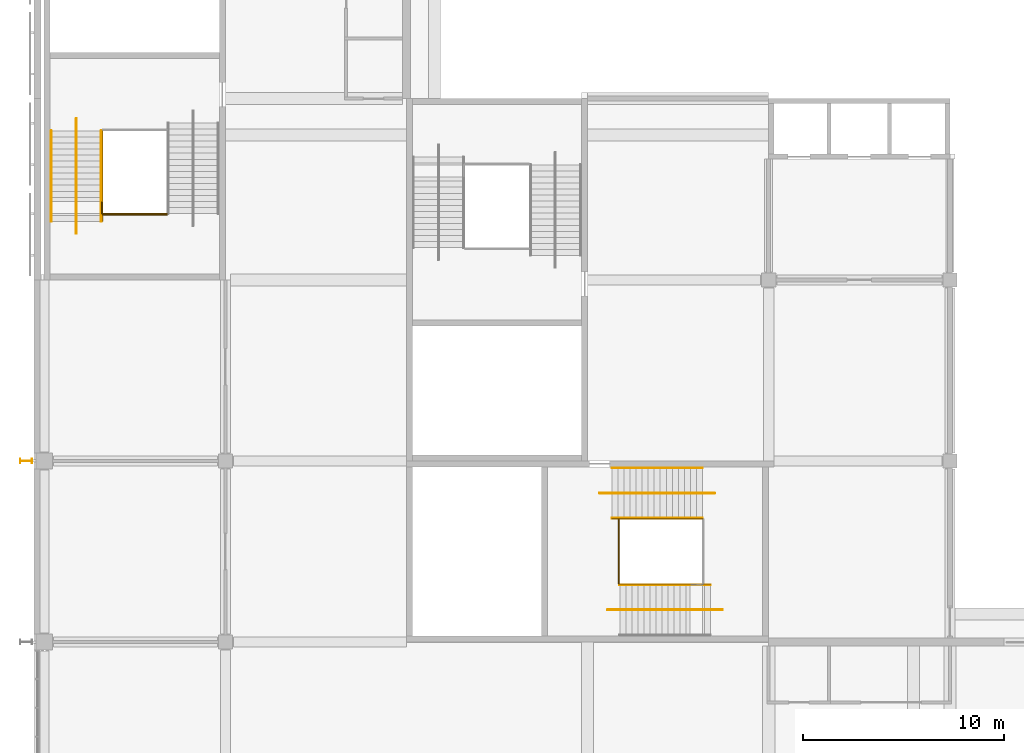
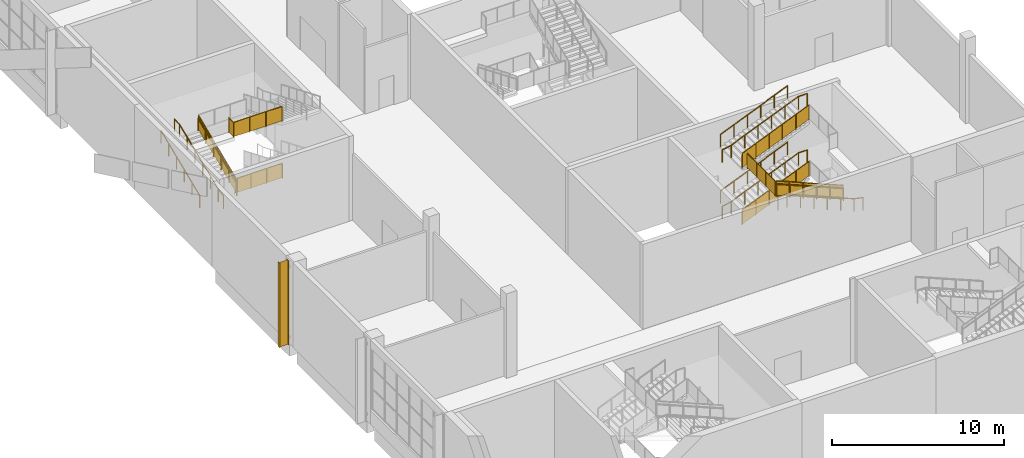
# One storey, part 70 of 89: 18 railings, 1 shading device.
"""IFC4 building model written with IfcOpenShell, lengths in metres."""

from ifc_helpers import new_model, si_unit, direction, frame, origin, origin_2d, place, context, subcontext, project, spatial, polyline, circle, i_section, outline, extrude, material, material_profile, profile_set, type_object, element, save


model = new_model("IFC4")

# Units and contexts
model_context = context("Model", 3, precision=1e-05, world=origin(), true_north=direction((0.0, 1.0)))
body_context = subcontext(model_context, "Body", "Model", "MODEL_VIEW")
ifc_project = project(units=[si_unit("LENGTHUNIT", "METRE"), si_unit("AREAUNIT", "SQUARE_METRE"), si_unit("VOLUMEUNIT", "CUBIC_METRE"), si_unit("PLANEANGLEUNIT", "RADIAN"), si_unit("MASSUNIT", "GRAM", prefix="KILO")], contexts=[model_context])

# Site, building, storey
site_placement = place(None, origin())
site = spatial("IfcSite", under=ifc_project, at=site_placement, CompositionType="ELEMENT")
building_placement = place(site_placement, origin())
building = spatial("IfcBuilding", under=site, at=building_placement, Name="Silverbay Arena", CompositionType="ELEMENT")
storey_placement = place(building_placement, frame((0.0, 0.0, 22.0)))
storey = spatial("IfcBuildingStorey", under=building, at=storey_placement, Name="L03", CompositionType="ELEMENT", Elevation=22.0)

# Railings
ifc_material_1 = material(Name="Stainless steel", Category="steel")
railing_type_1 = type_object("IfcRailingType", Name="Stair guard 1100", PredefinedType="GUARDRAIL", material=ifc_material_1)
railing_1_placement = place(storey_placement, frame((56.875, 56.89990234375, 2.125)))
element("IfcRailing", 1, at=railing_1_placement, inside=storey, type_object=railing_type_1, Name="Stair ST-W1 L03 to L04 flight 2 guard left", PredefinedType="GUARDRAIL", context=body_context, shape_type="SweptSolid", body=[
    extrude(circle(Radius=0.02392578125, at=origin_2d()), frame((0.0, 0.0, 1.076171875), z_axis=(0.0, 0.923076923077, 0.384615384615), x_axis=(-1.0, 0.0, 0.0)), (0.0, 0.0, 1.0), 4.875),
    extrude(outline(polyline([(-0.008056640625, 0.046630859375), (0.907958984375, 0.42822265625), (0.907958984375, 1.431396484375), (-0.008056640625, 1.049560546875), (-0.008056640625, 0.046630859375)])), frame((-0.0029296875, 0.0, 0.0), z_axis=(1.0, 0.0, 0.0), x_axis=(0.0, 1.0, 0.0)), (0.0, 0.0, 1.0), 0.006103515625),
    extrude(outline(polyline([(-0.008056640625, 0.421630859375), (0.907958984375, 0.80322265625), (0.907958984375, 1.806396484375), (-0.008056640625, 1.424560546875), (-0.008056640625, 0.421630859375)])), frame((-0.0029296875, 0.89990234375, 0.0), z_axis=(1.0, 0.0, 0.0), x_axis=(0.0, 1.0, 0.0)), (0.0, 0.0, 1.0), 0.006103515625),
    extrude(outline(polyline([(-0.008056640625, 0.796630859375), (0.907958984375, 1.17822265625), (0.907958984375, 2.181396484375), (-0.008056640625, 1.799560546875), (-0.008056640625, 0.796630859375)])), frame((-0.0029296875, 1.800048828125, 0.0), z_axis=(1.0, 0.0, 0.0), x_axis=(0.0, 1.0, 0.0)), (0.0, 0.0, 1.0), 0.006103515625),
    extrude(outline(polyline([(-0.008056640625, 1.171630859375), (0.907958984375, 1.55322265625), (0.907958984375, 2.556396484375), (-0.008056640625, 2.174560546875), (-0.008056640625, 1.171630859375)])), frame((-0.0029296875, 2.699951171875, 0.0), z_axis=(1.0, 0.0, 0.0), x_axis=(0.0, 1.0, 0.0)), (0.0, 0.0, 1.0), 0.006103515625),
    extrude(outline(polyline([(-0.008056640625, 1.546630859375), (0.907958984375, 1.92822265625), (0.907958984375, 2.931396484375), (-0.008056640625, 2.549560546875), (-0.008056640625, 1.546630859375)])), frame((-0.0029296875, 3.60009765625, 0.0), z_axis=(1.0, 0.0, 0.0), x_axis=(0.0, 1.0, 0.0)), (0.0, 0.0, 1.0), 0.006103515625),
    extrude(circle(Radius=0.02099609375, at=origin_2d()), origin(), (0.0, 0.0, 1.0), 1.052001953125),
    extrude(circle(Radius=0.02099609375, at=origin_2d()), frame((0.0, 0.89990234375, 0.375)), (0.0, 0.0, 1.0), 1.052001953125),
    extrude(circle(Radius=0.02099609375, at=origin_2d()), frame((0.0, 1.800048828125, 0.75)), (0.0, 0.0, 1.0), 1.052001953125),
    extrude(circle(Radius=0.02099609375, at=origin_2d()), frame((0.0, 2.699951171875, 1.125)), (0.0, 0.0, 1.0), 1.052001953125),
    extrude(circle(Radius=0.02099609375, at=origin_2d()), frame((0.0, 3.60009765625, 1.5)), (0.0, 0.0, 1.0), 1.052001953125),
    extrude(circle(Radius=0.02099609375, at=origin_2d()), frame((0.0, 4.5, 1.875)), (0.0, 0.0, 1.0), 1.052001953125),
])
railing_2_placement = place(storey_placement, frame((60.10009765625, 57.239990234375, 2.0)))
element("IfcRailing", 2, at=railing_2_placement, inside=storey, type_object=railing_type_1, Name="Stair ST-W1 L03 to L04 landing 1 guard", PredefinedType="GUARDRAIL", context=body_context, shape_type="SweptSolid", body=[
    extrude(circle(Radius=0.02392578125, at=origin_2d()), frame((0.0, 0.0, 1.076171875), z_axis=(-1.0, 0.0, 0.0), x_axis=(0.0, -1.0, 0.0)), (0.0, 0.0, 1.0), 3.2001953125),
    extrude(outline(polyline([(-0.008056640625, 0.050048828125), (1.07470703125, 0.050048828125), (1.07470703125, 1.052978515625), (-0.008056640625, 1.052978515625), (-0.008056640625, 0.050048828125)])), frame((0.0, -0.0029296875, 0.0), z_axis=(0.0, 1.0, 0.0), x_axis=(-1.0, 0.0, 0.0)), (0.0, 0.0, 1.0), 0.006103515625),
    extrude(outline(polyline([(-0.008056640625, 0.050048828125), (1.07470703125, 0.050048828125), (1.07470703125, 1.052978515625), (-0.008056640625, 1.052978515625), (-0.008056640625, 0.050048828125)])), frame((-1.066650390625, -0.0029296875, 0.0), z_axis=(0.0, 1.0, 0.0), x_axis=(-1.0, 0.0, 0.0)), (0.0, 0.0, 1.0), 0.006103515625),
    extrude(outline(polyline([(-0.008056640625, 0.050048828125), (1.07470703125, 0.050048828125), (1.07470703125, 1.052978515625), (-0.008056640625, 1.052978515625), (-0.008056640625, 0.050048828125)])), frame((-2.133544921875, -0.0029296875, 0.0), z_axis=(0.0, 1.0, 0.0), x_axis=(-1.0, 0.0, 0.0)), (0.0, 0.0, 1.0), 0.006103515625),
    extrude(circle(Radius=0.02099609375, at=origin_2d()), origin(), (0.0, 0.0, 1.0), 1.052001953125),
    extrude(circle(Radius=0.02099609375, at=origin_2d()), frame((-1.066650390625, 0.0, 0.0)), (0.0, 0.0, 1.0), 1.052001953125),
    extrude(circle(Radius=0.02099609375, at=origin_2d()), frame((-2.133544921875, 0.0, 0.0)), (0.0, 0.0, 1.0), 1.052001953125),
    extrude(circle(Radius=0.02099609375, at=origin_2d()), frame((-3.2001953125, 0.0, 0.0)), (0.0, 0.0, 1.0), 1.052001953125),
])
railing_3_placement = place(storey_placement, frame((56.85009765625, 57.85009765625, 6.0)))
element("IfcRailing", 3, at=railing_3_placement, inside=storey, type_object=railing_type_1, Name="Stair ST-W1 L03 to L04 landing 3 guard", PredefinedType="GUARDRAIL", context=body_context, shape_type="SweptSolid", body=[
    extrude(circle(Radius=0.02392578125, at=origin_2d()), frame((0.0, 0.0, 1.076171875), z_axis=(0.0, -1.0, 0.0), x_axis=(1.0, 0.0, 0.0)), (0.0, 0.0, 1.0), 0.56005859375),
    extrude(outline(polyline([(-0.008056640625, 0.050048828125), (0.568115234375, 0.050048828125), (0.568115234375, 1.052978515625), (-0.008056640625, 1.052978515625), (-0.008056640625, 0.050048828125)])), frame((0.0029296875, 0.0, 0.0), z_axis=(-1.0, 0.0, 0.0), x_axis=(0.0, -1.0, 0.0)), (0.0, 0.0, 1.0), 0.006103515625),
    extrude(circle(Radius=0.02392578125, at=origin_2d()), frame((0.0, -0.56005859375, 1.076171875), z_axis=(1.0, 0.0, 0.0), x_axis=(0.0, 1.0, 0.0)), (0.0, 0.0, 1.0), 3.25),
    extrude(outline(polyline([(-0.008056640625, 0.050048828125), (1.09130859375, 0.050048828125), (1.09130859375, 1.052978515625), (-0.008056640625, 1.052978515625), (-0.008056640625, 0.050048828125)])), frame((0.0, -0.55712890625, 0.0), z_axis=(0.0, -1.0, 0.0), x_axis=(1.0, 0.0, 0.0)), (0.0, 0.0, 1.0), 0.006103515625),
    extrude(outline(polyline([(-0.008056640625, 0.050048828125), (1.09130859375, 0.050048828125), (1.09130859375, 1.052978515625), (-0.008056640625, 1.052978515625), (-0.008056640625, 0.050048828125)])), frame((1.083251953125, -0.55712890625, 0.0), z_axis=(0.0, -1.0, 0.0), x_axis=(1.0, 0.0, 0.0)), (0.0, 0.0, 1.0), 0.006103515625),
    extrude(outline(polyline([(-0.008056640625, 0.050048828125), (1.09130859375, 0.050048828125), (1.09130859375, 1.052978515625), (-0.008056640625, 1.052978515625), (-0.008056640625, 0.050048828125)])), frame((2.166748046875, -0.55712890625, 0.0), z_axis=(0.0, -1.0, 0.0), x_axis=(1.0, 0.0, 0.0)), (0.0, 0.0, 1.0), 0.006103515625),
    extrude(circle(Radius=0.02099609375, at=origin_2d()), origin(), (0.0, 0.0, 1.0), 1.052001953125),
    extrude(circle(Radius=0.02099609375, at=origin_2d()), frame((0.0, -0.56005859375, 0.0)), (0.0, 0.0, 1.0), 1.052001953125),
    extrude(circle(Radius=0.02099609375, at=origin_2d()), frame((1.083251953125, -0.56005859375, 0.0)), (0.0, 0.0, 1.0), 1.052001953125),
    extrude(circle(Radius=0.02099609375, at=origin_2d()), frame((2.166748046875, -0.56005859375, 0.0)), (0.0, 0.0, 1.0), 1.052001953125),
    extrude(circle(Radius=0.02099609375, at=origin_2d()), frame((3.25, -0.56005859375, 0.0)), (0.0, 0.0, 1.0), 1.052001953125),
])
railing_4_placement = place(storey_placement, frame((82.2099609375, 42.125, 0.125)))
element("IfcRailing", 4, at=railing_4_placement, inside=storey, type_object=railing_type_1, Name="Stair ST-SW1 L03 to L04 flight 1 guard right", PredefinedType="GUARDRAIL", context=body_context, shape_type="SweptSolid", body=[
    extrude(circle(Radius=0.02392578125, at=origin_2d()), frame((0.0, 0.0, 1.076171875), z_axis=(0.923076923077, 0.0, 0.384615384615), x_axis=(0.0, 1.0, 0.0)), (0.0, 0.0, 1.0), 4.875),
    extrude(outline(polyline([(-0.008056640625, 0.046630859375), (0.907958984375, 0.42822265625), (0.907958984375, 1.431396484375), (-0.008056640625, 1.049560546875), (-0.008056640625, 0.046630859375)])), frame((0.0, 0.0029296875, 0.0), z_axis=(0.0, -1.0, 0.0), x_axis=(1.0, 0.0, 0.0)), (0.0, 0.0, 1.0), 0.006103515625),
    extrude(outline(polyline([(-0.008056640625, 0.421630859375), (0.907958984375, 0.80322265625), (0.907958984375, 1.806396484375), (-0.008056640625, 1.424560546875), (-0.008056640625, 0.421630859375)])), frame((0.89990234375, 0.0029296875, 0.0), z_axis=(0.0, -1.0, 0.0), x_axis=(1.0, 0.0, 0.0)), (0.0, 0.0, 1.0), 0.006103515625),
    extrude(outline(polyline([(-0.008056640625, 0.796630859375), (0.907958984375, 1.17822265625), (0.907958984375, 2.181396484375), (-0.008056640625, 1.799560546875), (-0.008056640625, 0.796630859375)])), frame((1.800048828125, 0.0029296875, 0.0), z_axis=(0.0, -1.0, 0.0), x_axis=(1.0, 0.0, 0.0)), (0.0, 0.0, 1.0), 0.006103515625),
    extrude(outline(polyline([(-0.008056640625, 1.171630859375), (0.907958984375, 1.55322265625), (0.907958984375, 2.556396484375), (-0.008056640625, 2.174560546875), (-0.008056640625, 1.171630859375)])), frame((2.699951171875, 0.0029296875, 0.0), z_axis=(0.0, -1.0, 0.0), x_axis=(1.0, 0.0, 0.0)), (0.0, 0.0, 1.0), 0.006103515625),
    extrude(outline(polyline([(-0.008056640625, 1.546630859375), (0.907958984375, 1.92822265625), (0.907958984375, 2.931396484375), (-0.008056640625, 2.549560546875), (-0.008056640625, 1.546630859375)])), frame((3.60009765625, 0.0029296875, 0.0), z_axis=(0.0, -1.0, 0.0), x_axis=(1.0, 0.0, 0.0)), (0.0, 0.0, 1.0), 0.006103515625),
    extrude(circle(Radius=0.02099609375, at=origin_2d()), origin(), (0.0, 0.0, 1.0), 1.052001953125),
    extrude(circle(Radius=0.02099609375, at=origin_2d()), frame((0.89990234375, 0.0, 0.375)), (0.0, 0.0, 1.0), 1.052001953125),
    extrude(circle(Radius=0.02099609375, at=origin_2d()), frame((1.800048828125, 0.0, 0.75)), (0.0, 0.0, 1.0), 1.052001953125),
    extrude(circle(Radius=0.02099609375, at=origin_2d()), frame((2.699951171875, 0.0, 1.125)), (0.0, 0.0, 1.0), 1.052001953125),
    extrude(circle(Radius=0.02099609375, at=origin_2d()), frame((3.60009765625, 0.0, 1.5)), (0.0, 0.0, 1.0), 1.052001953125),
    extrude(circle(Radius=0.02099609375, at=origin_2d()), frame((4.5, 0.0, 1.875)), (0.0, 0.0, 1.0), 1.052001953125),
])
railing_5_placement = place(storey_placement, frame((87.10009765625, 38.875, 2.125)))
element("IfcRailing", 5, at=railing_5_placement, inside=storey, type_object=railing_type_1, Name="Stair ST-SW1 L03 to L04 flight 2 guard left", PredefinedType="GUARDRAIL", context=body_context, shape_type="SweptSolid", body=[
    extrude(circle(Radius=0.02392578125, at=origin_2d()), frame((0.0, 0.0, 1.076171875), z_axis=(-0.923076923077, 0.0, 0.384615384615), x_axis=(0.0, -1.0, 0.0)), (0.0, 0.0, 1.0), 4.875),
    extrude(outline(polyline([(-0.008056640625, 0.046630859375), (0.907958984375, 0.42822265625), (0.907958984375, 1.431396484375), (-0.008056640625, 1.049560546875), (-0.008056640625, 0.046630859375)])), frame((0.0, -0.0029296875, 0.0), z_axis=(0.0, 1.0, 0.0), x_axis=(-1.0, 0.0, 0.0)), (0.0, 0.0, 1.0), 0.006103515625),
    extrude(outline(polyline([(-0.008056640625, 0.421630859375), (0.907958984375, 0.80322265625), (0.907958984375, 1.806396484375), (-0.008056640625, 1.424560546875), (-0.008056640625, 0.421630859375)])), frame((-0.89990234375, -0.0029296875, 0.0), z_axis=(0.0, 1.0, 0.0), x_axis=(-1.0, 0.0, 0.0)), (0.0, 0.0, 1.0), 0.006103515625),
    extrude(outline(polyline([(-0.008056640625, 0.796630859375), (0.907958984375, 1.17822265625), (0.907958984375, 2.181396484375), (-0.008056640625, 1.799560546875), (-0.008056640625, 0.796630859375)])), frame((-1.800048828125, -0.0029296875, 0.0), z_axis=(0.0, 1.0, 0.0), x_axis=(-1.0, 0.0, 0.0)), (0.0, 0.0, 1.0), 0.006103515625),
    extrude(outline(polyline([(-0.008056640625, 1.171630859375), (0.907958984375, 1.55322265625), (0.907958984375, 2.556396484375), (-0.008056640625, 2.174560546875), (-0.008056640625, 1.171630859375)])), frame((-2.699951171875, -0.0029296875, 0.0), z_axis=(0.0, 1.0, 0.0), x_axis=(-1.0, 0.0, 0.0)), (0.0, 0.0, 1.0), 0.006103515625),
    extrude(outline(polyline([(-0.008056640625, 1.546630859375), (0.907958984375, 1.92822265625), (0.907958984375, 2.931396484375), (-0.008056640625, 2.549560546875), (-0.008056640625, 1.546630859375)])), frame((-3.60009765625, -0.0029296875, 0.0), z_axis=(0.0, 1.0, 0.0), x_axis=(-1.0, 0.0, 0.0)), (0.0, 0.0, 1.0), 0.006103515625),
    extrude(circle(Radius=0.02099609375, at=origin_2d()), origin(), (0.0, 0.0, 1.0), 1.052001953125),
    extrude(circle(Radius=0.02099609375, at=origin_2d()), frame((-0.89990234375, 0.0, 0.375)), (0.0, 0.0, 1.0), 1.052001953125),
    extrude(circle(Radius=0.02099609375, at=origin_2d()), frame((-1.800048828125, 0.0, 0.75)), (0.0, 0.0, 1.0), 1.052001953125),
    extrude(circle(Radius=0.02099609375, at=origin_2d()), frame((-2.699951171875, 0.0, 1.125)), (0.0, 0.0, 1.0), 1.052001953125),
    extrude(circle(Radius=0.02099609375, at=origin_2d()), frame((-3.60009765625, 0.0, 1.5)), (0.0, 0.0, 1.0), 1.052001953125),
    extrude(circle(Radius=0.02099609375, at=origin_2d()), frame((-4.5, 0.0, 1.875)), (0.0, 0.0, 1.0), 1.052001953125),
])
railing_6_placement = place(storey_placement, frame((82.2099609375, 42.125, 4.125)))
element("IfcRailing", 6, at=railing_6_placement, inside=storey, type_object=railing_type_1, Name="Stair ST-SW1 L03 to L04 flight 3 guard right", PredefinedType="GUARDRAIL", context=body_context, shape_type="SweptSolid", body=[
    extrude(circle(Radius=0.02392578125, at=origin_2d()), frame((0.0, 0.0, 1.076171875), z_axis=(0.923076923077, 0.0, 0.384615384615), x_axis=(0.0, 1.0, 0.0)), (0.0, 0.0, 1.0), 4.875),
    extrude(outline(polyline([(-0.008056640625, 0.046630859375), (0.907958984375, 0.42822265625), (0.907958984375, 1.431396484375), (-0.008056640625, 1.049560546875), (-0.008056640625, 0.046630859375)])), frame((0.0, 0.0029296875, 0.0), z_axis=(0.0, -1.0, 0.0), x_axis=(1.0, 0.0, 0.0)), (0.0, 0.0, 1.0), 0.006103515625),
    extrude(outline(polyline([(-0.008056640625, 0.421630859375), (0.907958984375, 0.80322265625), (0.907958984375, 1.806396484375), (-0.008056640625, 1.424560546875), (-0.008056640625, 0.421630859375)])), frame((0.89990234375, 0.0029296875, 0.0), z_axis=(0.0, -1.0, 0.0), x_axis=(1.0, 0.0, 0.0)), (0.0, 0.0, 1.0), 0.006103515625),
    extrude(outline(polyline([(-0.008056640625, 0.796630859375), (0.907958984375, 1.17822265625), (0.907958984375, 2.181396484375), (-0.008056640625, 1.799560546875), (-0.008056640625, 0.796630859375)])), frame((1.800048828125, 0.0029296875, 0.0), z_axis=(0.0, -1.0, 0.0), x_axis=(1.0, 0.0, 0.0)), (0.0, 0.0, 1.0), 0.006103515625),
    extrude(outline(polyline([(-0.008056640625, 1.171630859375), (0.907958984375, 1.55322265625), (0.907958984375, 2.556396484375), (-0.008056640625, 2.174560546875), (-0.008056640625, 1.171630859375)])), frame((2.699951171875, 0.0029296875, 0.0), z_axis=(0.0, -1.0, 0.0), x_axis=(1.0, 0.0, 0.0)), (0.0, 0.0, 1.0), 0.006103515625),
    extrude(outline(polyline([(-0.008056640625, 1.546630859375), (0.907958984375, 1.92822265625), (0.907958984375, 2.931396484375), (-0.008056640625, 2.549560546875), (-0.008056640625, 1.546630859375)])), frame((3.60009765625, 0.0029296875, 0.0), z_axis=(0.0, -1.0, 0.0), x_axis=(1.0, 0.0, 0.0)), (0.0, 0.0, 1.0), 0.006103515625),
    extrude(circle(Radius=0.02099609375, at=origin_2d()), origin(), (0.0, 0.0, 1.0), 1.052001953125),
    extrude(circle(Radius=0.02099609375, at=origin_2d()), frame((0.89990234375, 0.0, 0.375)), (0.0, 0.0, 1.0), 1.052001953125),
    extrude(circle(Radius=0.02099609375, at=origin_2d()), frame((1.800048828125, 0.0, 0.75)), (0.0, 0.0, 1.0), 1.052001953125),
    extrude(circle(Radius=0.02099609375, at=origin_2d()), frame((2.699951171875, 0.0, 1.125)), (0.0, 0.0, 1.0), 1.052001953125),
    extrude(circle(Radius=0.02099609375, at=origin_2d()), frame((3.60009765625, 0.0, 1.5)), (0.0, 0.0, 1.0), 1.052001953125),
    extrude(circle(Radius=0.02099609375, at=origin_2d()), frame((4.5, 0.0, 1.875)), (0.0, 0.0, 1.0), 1.052001953125),
])
railing_7_placement = place(storey_placement, frame((82.550048828125, 42.10009765625, 4.0)))
element("IfcRailing", 7, at=railing_7_placement, inside=storey, type_object=railing_type_1, Name="Stair ST-SW1 L03 to L04 landing 2 guard", PredefinedType="GUARDRAIL", context=body_context, shape_type="SweptSolid", body=[
    extrude(circle(Radius=0.02392578125, at=origin_2d()), frame((0.0, 0.0, 1.076171875), z_axis=(0.0, -1.0, 0.0), x_axis=(1.0, 0.0, 0.0)), (0.0, 0.0, 1.0), 3.2001953125),
    extrude(outline(polyline([(-0.008056640625, 0.050048828125), (1.07470703125, 0.050048828125), (1.07470703125, 1.052978515625), (-0.008056640625, 1.052978515625), (-0.008056640625, 0.050048828125)])), frame((0.0029296875, 0.0, 0.0), z_axis=(-1.0, 0.0, 0.0), x_axis=(0.0, -1.0, 0.0)), (0.0, 0.0, 1.0), 0.006103515625),
    extrude(outline(polyline([(-0.008056640625, 0.050048828125), (1.07470703125, 0.050048828125), (1.07470703125, 1.052978515625), (-0.008056640625, 1.052978515625), (-0.008056640625, 0.050048828125)])), frame((0.0029296875, -1.066650390625, 0.0), z_axis=(-1.0, 0.0, 0.0), x_axis=(0.0, -1.0, 0.0)), (0.0, 0.0, 1.0), 0.006103515625),
    extrude(outline(polyline([(-0.008056640625, 0.050048828125), (1.07470703125, 0.050048828125), (1.07470703125, 1.052978515625), (-0.008056640625, 1.052978515625), (-0.008056640625, 0.050048828125)])), frame((0.0029296875, -2.133544921875, 0.0), z_axis=(-1.0, 0.0, 0.0), x_axis=(0.0, -1.0, 0.0)), (0.0, 0.0, 1.0), 0.006103515625),
    extrude(circle(Radius=0.02099609375, at=origin_2d()), origin(), (0.0, 0.0, 1.0), 1.052001953125),
    extrude(circle(Radius=0.02099609375, at=origin_2d()), frame((0.0, -1.066650390625, 0.0)), (0.0, 0.0, 1.0), 1.052001953125),
    extrude(circle(Radius=0.02099609375, at=origin_2d()), frame((0.0, -2.133544921875, 0.0)), (0.0, 0.0, 1.0), 1.052001953125),
    extrude(circle(Radius=0.02099609375, at=origin_2d()), frame((0.0, -3.2001953125, 0.0)), (0.0, 0.0, 1.0), 1.052001953125),
])
ifc_material_2 = material(Name="Stainless steel", Category="steel")
railing_type_2 = type_object("IfcRailingType", Name="Stair handrail 900", PredefinedType="HANDRAIL", material=ifc_material_2)
for number, where, name in (
    (8, (56.8359375, 56.89990234375, 2.125), "Stair ST-W1 L03 to L04 flight 2 handrail left"),
    (9, (54.35009765625, 56.89990234375, 2.125), "Stair ST-W1 L03 to L04 flight 2 handrail right"),
):
    element("IfcRailing", number, at=place(storey_placement, frame(where)), inside=storey, type_object=railing_type_2, Name=name, PredefinedType="HANDRAIL", context=body_context, shape_type="SweptSolid", body=[
        extrude(circle(Radius=0.02392578125, at=origin_2d()), frame((0.0, 0.0, 0.8759765625), z_axis=(0.0, 0.923076923077, 0.384615384615), x_axis=(-1.0, 0.0, 0.0)), (0.0, 0.0, 1.0), 4.875),
        extrude(circle(Radius=0.02099609375, at=origin_2d()), origin(), (0.0, 0.0, 1.0), 0.851806640625),
        extrude(circle(Radius=0.02099609375, at=origin_2d()), frame((0.0, 0.89990234375, 0.375)), (0.0, 0.0, 1.0), 0.851806640625),
        extrude(circle(Radius=0.02099609375, at=origin_2d()), frame((0.0, 1.800048828125, 0.75)), (0.0, 0.0, 1.0), 0.851806640625),
        extrude(circle(Radius=0.02099609375, at=origin_2d()), frame((0.0, 2.699951171875, 1.125)), (0.0, 0.0, 1.0), 0.851806640625),
        extrude(circle(Radius=0.02099609375, at=origin_2d()), frame((0.0, 3.60009765625, 1.5)), (0.0, 0.0, 1.0), 0.851806640625),
        extrude(circle(Radius=0.02099609375, at=origin_2d()), frame((0.0, 4.5, 1.875)), (0.0, 0.0, 1.0), 0.851806640625),
    ])
railing_8_placement = place(storey_placement, frame((55.60009765625, 56.300048828125, 2.0)))
element("IfcRailing", 10, at=railing_8_placement, inside=storey, type_object=railing_type_2, Name="Stair ST-W1 L03 to L04 flight 2 central handrail", PredefinedType="HANDRAIL", context=body_context, shape_type="SweptSolid", body=[
    extrude(circle(Radius=0.02392578125, at=origin_2d()), frame((0.0, 0.0, 0.8759765625), z_axis=(0.0, 0.978970474113, 0.20400198728), x_axis=(-1.0, 0.0, 0.0)), (0.0, 0.0, 1.0), 0.61279296875),
    extrude(circle(Radius=0.02392578125, at=origin_2d()), frame((0.0, 0.599853515625, 1.0009765625), z_axis=(0.0, 0.923076923077, 0.384615384615), x_axis=(-1.0, 0.0, 0.0)), (0.0, 0.0, 1.0), 4.875),
    extrude(circle(Radius=0.02392578125, at=origin_2d()), frame((0.0, 5.099853515625, 2.8759765625), z_axis=(0.0, 1.0, 0.0), x_axis=(-1.0, 0.0, 0.0)), (0.0, 0.0, 1.0), 0.60009765625),
    extrude(circle(Radius=0.02099609375, at=origin_2d()), origin(), (0.0, 0.0, 1.0), 0.851806640625),
    extrude(circle(Radius=0.02099609375, at=origin_2d()), frame((0.0, 0.599853515625, 0.125)), (0.0, 0.0, 1.0), 0.851806640625),
    extrude(circle(Radius=0.02099609375, at=origin_2d()), frame((0.0, 1.499755859375, 0.5)), (0.0, 0.0, 1.0), 0.851806640625),
    extrude(circle(Radius=0.02099609375, at=origin_2d()), frame((0.0, 2.39990234375, 0.875)), (0.0, 0.0, 1.0), 0.851806640625),
    extrude(circle(Radius=0.02099609375, at=origin_2d()), frame((0.0, 3.2998046875, 1.25)), (0.0, 0.0, 1.0), 0.851806640625),
    extrude(circle(Radius=0.02099609375, at=origin_2d()), frame((0.0, 4.199951171875, 1.625)), (0.0, 0.0, 1.0), 0.851806640625),
    extrude(circle(Radius=0.02099609375, at=origin_2d()), frame((0.0, 5.099853515625, 2.0)), (0.0, 0.0, 1.0), 0.851806640625),
    extrude(circle(Radius=0.02099609375, at=origin_2d()), frame((0.0, 5.699951171875, 2.0)), (0.0, 0.0, 1.0), 0.851806640625),
])
for number, where, name in (
    (11, (82.2099609375, 44.64990234375, 0.125), "Stair ST-SW1 L03 to L04 flight 1 handrail left"),
    (12, (82.2099609375, 42.1640625, 0.125), "Stair ST-SW1 L03 to L04 flight 1 handrail right"),
):
    element("IfcRailing", number, at=place(storey_placement, frame(where)), inside=storey, type_object=railing_type_2, Name=name, PredefinedType="HANDRAIL", context=body_context, shape_type="SweptSolid", body=[
        extrude(circle(Radius=0.02392578125, at=origin_2d()), frame((0.0, 0.0, 0.8759765625), z_axis=(0.923076923077, 0.0, 0.384615384615), x_axis=(0.0, 1.0, 0.0)), (0.0, 0.0, 1.0), 4.875),
        extrude(circle(Radius=0.02099609375, at=origin_2d()), origin(), (0.0, 0.0, 1.0), 0.851806640625),
        extrude(circle(Radius=0.02099609375, at=origin_2d()), frame((0.89990234375, 0.0, 0.375)), (0.0, 0.0, 1.0), 0.851806640625),
        extrude(circle(Radius=0.02099609375, at=origin_2d()), frame((1.800048828125, 0.0, 0.75)), (0.0, 0.0, 1.0), 0.851806640625),
        extrude(circle(Radius=0.02099609375, at=origin_2d()), frame((2.699951171875, 0.0, 1.125)), (0.0, 0.0, 1.0), 0.851806640625),
        extrude(circle(Radius=0.02099609375, at=origin_2d()), frame((3.60009765625, 0.0, 1.5)), (0.0, 0.0, 1.0), 0.851806640625),
        extrude(circle(Radius=0.02099609375, at=origin_2d()), frame((4.5, 0.0, 1.875)), (0.0, 0.0, 1.0), 0.851806640625),
    ])
railing_9_placement = place(storey_placement, frame((81.610107421875, 43.39990234375, 0.0)))
element("IfcRailing", 13, at=railing_9_placement, inside=storey, type_object=railing_type_2, Name="Stair ST-SW1 L03 to L04 flight 1 central handrail", PredefinedType="HANDRAIL", context=body_context, shape_type="SweptSolid", body=[
    extrude(circle(Radius=0.02392578125, at=origin_2d()), frame((0.0, 0.0, 0.8759765625), z_axis=(0.978970474113, 0.0, 0.20400198728), x_axis=(0.0, 1.0, 0.0)), (0.0, 0.0, 1.0), 0.61279296875),
    extrude(circle(Radius=0.02392578125, at=origin_2d()), frame((0.599853515625, 0.0, 1.0009765625), z_axis=(0.923076923077, 0.0, 0.384615384615), x_axis=(0.0, 1.0, 0.0)), (0.0, 0.0, 1.0), 4.875),
    extrude(circle(Radius=0.02392578125, at=origin_2d()), frame((5.099853515625, 0.0, 2.8759765625), z_axis=(1.0, 0.0, 0.0), x_axis=(0.0, 1.0, 0.0)), (0.0, 0.0, 1.0), 0.60009765625),
    extrude(circle(Radius=0.02099609375, at=origin_2d()), origin(), (0.0, 0.0, 1.0), 0.851806640625),
    extrude(circle(Radius=0.02099609375, at=origin_2d()), frame((0.599853515625, 0.0, 0.125)), (0.0, 0.0, 1.0), 0.851806640625),
    extrude(circle(Radius=0.02099609375, at=origin_2d()), frame((1.499755859375, 0.0, 0.5)), (0.0, 0.0, 1.0), 0.851806640625),
    extrude(circle(Radius=0.02099609375, at=origin_2d()), frame((2.39990234375, 0.0, 0.875)), (0.0, 0.0, 1.0), 0.851806640625),
    extrude(circle(Radius=0.02099609375, at=origin_2d()), frame((3.2998046875, 0.0, 1.25)), (0.0, 0.0, 1.0), 0.851806640625),
    extrude(circle(Radius=0.02099609375, at=origin_2d()), frame((4.199951171875, 0.0, 1.625)), (0.0, 0.0, 1.0), 0.851806640625),
    extrude(circle(Radius=0.02099609375, at=origin_2d()), frame((5.099853515625, 0.0, 2.0)), (0.0, 0.0, 1.0), 0.851806640625),
    extrude(circle(Radius=0.02099609375, at=origin_2d()), frame((5.699951171875, 0.0, 2.0)), (0.0, 0.0, 1.0), 0.851806640625),
])
railing_10_placement = place(storey_placement, frame((87.10009765625, 38.8359375, 2.125)))
element("IfcRailing", 14, at=railing_10_placement, inside=storey, type_object=railing_type_2, Name="Stair ST-SW1 L03 to L04 flight 2 handrail left", PredefinedType="HANDRAIL", context=body_context, shape_type="SweptSolid", body=[
    extrude(circle(Radius=0.02392578125, at=origin_2d()), frame((0.0, 0.0, 0.8759765625), z_axis=(-0.923076923077, 0.0, 0.384615384615), x_axis=(0.0, -1.0, 0.0)), (0.0, 0.0, 1.0), 4.875),
    extrude(circle(Radius=0.02099609375, at=origin_2d()), origin(), (0.0, 0.0, 1.0), 0.851806640625),
    extrude(circle(Radius=0.02099609375, at=origin_2d()), frame((-0.89990234375, 0.0, 0.375)), (0.0, 0.0, 1.0), 0.851806640625),
    extrude(circle(Radius=0.02099609375, at=origin_2d()), frame((-1.800048828125, 0.0, 0.75)), (0.0, 0.0, 1.0), 0.851806640625),
    extrude(circle(Radius=0.02099609375, at=origin_2d()), frame((-2.699951171875, 0.0, 1.125)), (0.0, 0.0, 1.0), 0.851806640625),
    extrude(circle(Radius=0.02099609375, at=origin_2d()), frame((-3.60009765625, 0.0, 1.5)), (0.0, 0.0, 1.0), 0.851806640625),
    extrude(circle(Radius=0.02099609375, at=origin_2d()), frame((-4.5, 0.0, 1.875)), (0.0, 0.0, 1.0), 0.851806640625),
])
railing_11_placement = place(storey_placement, frame((87.699951171875, 37.60009765625, 2.0)))
element("IfcRailing", 15, at=railing_11_placement, inside=storey, type_object=railing_type_2, Name="Stair ST-SW1 L03 to L04 flight 2 central handrail", PredefinedType="HANDRAIL", context=body_context, shape_type="SweptSolid", body=[
    extrude(circle(Radius=0.02392578125, at=origin_2d()), frame((0.0, 0.0, 0.8759765625), z_axis=(-0.978970474113, 0.0, 0.20400198728), x_axis=(0.0, -1.0, 0.0)), (0.0, 0.0, 1.0), 0.61279296875),
    extrude(circle(Radius=0.02392578125, at=origin_2d()), frame((-0.599853515625, 0.0, 1.0009765625), z_axis=(-0.923076923077, 0.0, 0.384615384615), x_axis=(0.0, -1.0, 0.0)), (0.0, 0.0, 1.0), 4.875),
    extrude(circle(Radius=0.02392578125, at=origin_2d()), frame((-5.099853515625, 0.0, 2.8759765625), z_axis=(-1.0, 0.0, 0.0), x_axis=(0.0, -1.0, 0.0)), (0.0, 0.0, 1.0), 0.60009765625),
    extrude(circle(Radius=0.02099609375, at=origin_2d()), origin(), (0.0, 0.0, 1.0), 0.851806640625),
    extrude(circle(Radius=0.02099609375, at=origin_2d()), frame((-0.599853515625, 0.0, 0.125)), (0.0, 0.0, 1.0), 0.851806640625),
    extrude(circle(Radius=0.02099609375, at=origin_2d()), frame((-1.499755859375, 0.0, 0.5)), (0.0, 0.0, 1.0), 0.851806640625),
    extrude(circle(Radius=0.02099609375, at=origin_2d()), frame((-2.39990234375, 0.0, 0.875)), (0.0, 0.0, 1.0), 0.851806640625),
    extrude(circle(Radius=0.02099609375, at=origin_2d()), frame((-3.2998046875, 0.0, 1.25)), (0.0, 0.0, 1.0), 0.851806640625),
    extrude(circle(Radius=0.02099609375, at=origin_2d()), frame((-4.199951171875, 0.0, 1.625)), (0.0, 0.0, 1.0), 0.851806640625),
    extrude(circle(Radius=0.02099609375, at=origin_2d()), frame((-5.099853515625, 0.0, 2.0)), (0.0, 0.0, 1.0), 0.851806640625),
    extrude(circle(Radius=0.02099609375, at=origin_2d()), frame((-5.699951171875, 0.0, 2.0)), (0.0, 0.0, 1.0), 0.851806640625),
])
for number, where, name in (
    (16, (82.2099609375, 44.64990234375, 4.125), "Stair ST-SW1 L03 to L04 flight 3 handrail left"),
    (17, (82.2099609375, 42.1640625, 4.125), "Stair ST-SW1 L03 to L04 flight 3 handrail right"),
):
    element("IfcRailing", number, at=place(storey_placement, frame(where)), inside=storey, type_object=railing_type_2, Name=name, PredefinedType="HANDRAIL", context=body_context, shape_type="SweptSolid", body=[
        extrude(circle(Radius=0.02392578125, at=origin_2d()), frame((0.0, 0.0, 0.8759765625), z_axis=(0.923076923077, 0.0, 0.384615384615), x_axis=(0.0, 1.0, 0.0)), (0.0, 0.0, 1.0), 4.875),
        extrude(circle(Radius=0.02099609375, at=origin_2d()), origin(), (0.0, 0.0, 1.0), 0.851806640625),
        extrude(circle(Radius=0.02099609375, at=origin_2d()), frame((0.89990234375, 0.0, 0.375)), (0.0, 0.0, 1.0), 0.851806640625),
        extrude(circle(Radius=0.02099609375, at=origin_2d()), frame((1.800048828125, 0.0, 0.75)), (0.0, 0.0, 1.0), 0.851806640625),
        extrude(circle(Radius=0.02099609375, at=origin_2d()), frame((2.699951171875, 0.0, 1.125)), (0.0, 0.0, 1.0), 0.851806640625),
        extrude(circle(Radius=0.02099609375, at=origin_2d()), frame((3.60009765625, 0.0, 1.5)), (0.0, 0.0, 1.0), 0.851806640625),
        extrude(circle(Radius=0.02099609375, at=origin_2d()), frame((4.5, 0.0, 1.875)), (0.0, 0.0, 1.0), 0.851806640625),
    ])
railing_12_placement = place(storey_placement, frame((81.610107421875, 43.39990234375, 4.0)))
element("IfcRailing", 18, at=railing_12_placement, inside=storey, type_object=railing_type_2, Name="Stair ST-SW1 L03 to L04 flight 3 central handrail", PredefinedType="HANDRAIL", context=body_context, shape_type="SweptSolid", body=[
    extrude(circle(Radius=0.02392578125, at=origin_2d()), frame((0.0, 0.0, 0.8759765625), z_axis=(0.978970474113, 0.0, 0.20400198728), x_axis=(0.0, 1.0, 0.0)), (0.0, 0.0, 1.0), 0.61279296875),
    extrude(circle(Radius=0.02392578125, at=origin_2d()), frame((0.599853515625, 0.0, 1.0009765625), z_axis=(0.923076923077, 0.0, 0.384615384615), x_axis=(0.0, 1.0, 0.0)), (0.0, 0.0, 1.0), 4.875),
    extrude(circle(Radius=0.02392578125, at=origin_2d()), frame((5.099853515625, 0.0, 2.8759765625), z_axis=(1.0, 0.0, 0.0), x_axis=(0.0, 1.0, 0.0)), (0.0, 0.0, 1.0), 0.60009765625),
    extrude(circle(Radius=0.02099609375, at=origin_2d()), origin(), (0.0, 0.0, 1.0), 0.851806640625),
    extrude(circle(Radius=0.02099609375, at=origin_2d()), frame((0.599853515625, 0.0, 0.125)), (0.0, 0.0, 1.0), 0.851806640625),
    extrude(circle(Radius=0.02099609375, at=origin_2d()), frame((1.499755859375, 0.0, 0.5)), (0.0, 0.0, 1.0), 0.851806640625),
    extrude(circle(Radius=0.02099609375, at=origin_2d()), frame((2.39990234375, 0.0, 0.875)), (0.0, 0.0, 1.0), 0.851806640625),
    extrude(circle(Radius=0.02099609375, at=origin_2d()), frame((3.2998046875, 0.0, 1.25)), (0.0, 0.0, 1.0), 0.851806640625),
    extrude(circle(Radius=0.02099609375, at=origin_2d()), frame((4.199951171875, 0.0, 1.625)), (0.0, 0.0, 1.0), 0.851806640625),
    extrude(circle(Radius=0.02099609375, at=origin_2d()), frame((5.099853515625, 0.0, 2.0)), (0.0, 0.0, 1.0), 0.851806640625),
    extrude(circle(Radius=0.02099609375, at=origin_2d()), frame((5.699951171875, 0.0, 2.0)), (0.0, 0.0, 1.0), 0.851806640625),
])

# Shading device
ifc_material_3 = material(Name="Steel S355", Category="steel")
ifc_material_profile = material_profile(ifc_material_3, i_section(OverallWidth=0.2275390625, OverallDepth=0.6025390625, WebThickness=0.010498046875, FlangeThickness=0.014892578125, at=origin_2d()), Name="UB 610x229x101")
ifc_profile_set = profile_set([ifc_material_profile], Name="Steel S355")
shading_device_type = type_object("IfcShadingDeviceType", Name="Steel fin UB 610x229x101", PredefinedType="USERDEFINED", material=ifc_profile_set)
shading_device_placement = place(storey_placement, frame((53.0986328125, 45.0, 0.0), z_axis=(0.0, 0.0, 1.0), x_axis=(0.0, 1.0, 0.0)))
element("IfcShadingDevice", 19, at=shading_device_placement, inside=storey, type_object=shading_device_type, Name="Steel fin W L03 6", ObjectType="FIN", PredefinedType="USERDEFINED", context=body_context, shape_type="SweptSolid", body=[
    extrude(i_section(OverallWidth=0.2275390625, OverallDepth=0.6025390625, WebThickness=0.010498046875, FlangeThickness=0.014892578125, at=origin_2d()), origin(), (0.0, 0.0, 1.0), 6.0),
])

save(model, "model.ifc")
